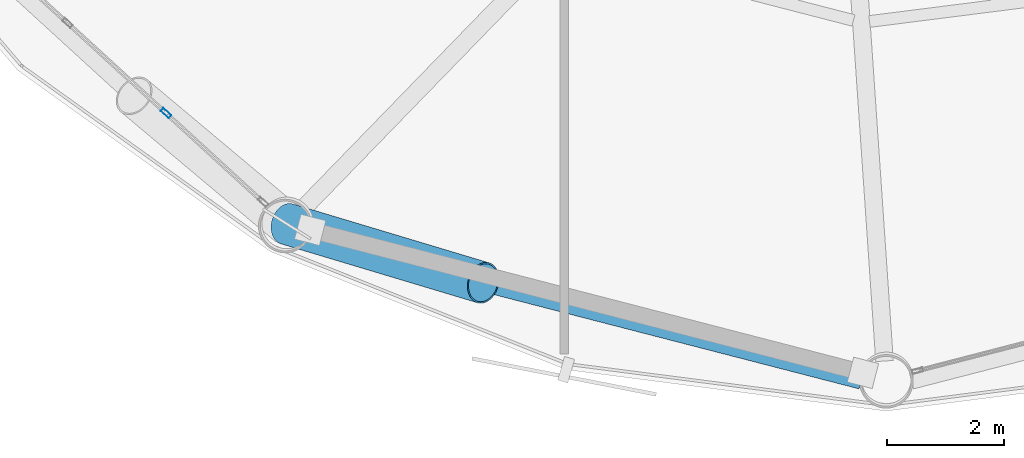
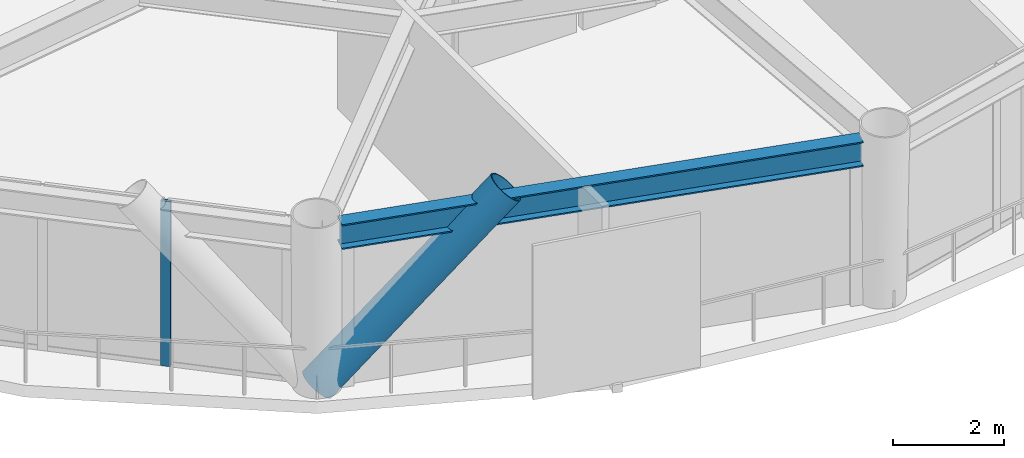
# One storey, part 3 of 25: 2 members, 1 beam, 1 element without a shape of its own.
"""IFC4 building model written with IfcOpenShell, lengths in metres."""

from ifc_helpers import new_model, si_unit, direction, frame, origin, origin_2d, place, context, subcontext, project, spatial, hollow_rectangle, hollow_circle, i_section, extrude, material, layer, layer_set, material_profile, profile_set, type_object, element, aggregate, save


model = new_model("IFC4")

# Units and contexts
model_context = context("Model", 3, precision=1e-05, world=origin(), true_north=direction((0.0, 1.0)))
body_context = subcontext(model_context, "Body", "Model", "MODEL_VIEW")
ifc_project = project(units=[si_unit("LENGTHUNIT", "METRE"), si_unit("AREAUNIT", "SQUARE_METRE"), si_unit("VOLUMEUNIT", "CUBIC_METRE"), si_unit("PLANEANGLEUNIT", "RADIAN"), si_unit("MASSUNIT", "GRAM", prefix="KILO")], contexts=[model_context])

# Site, building, storey
site_placement = place(None, origin())
site = spatial("IfcSite", under=ifc_project, at=site_placement, CompositionType="ELEMENT")
building_placement = place(site_placement, origin())
building = spatial("IfcBuilding", under=site, at=building_placement, Name="Varnakorn Sky Granary", CompositionType="ELEMENT")
storey_placement = place(building_placement, frame((0.0, 0.0, 39.300048828125)))
storey = spatial("IfcBuildingStorey", under=building, at=storey_placement, Name="L09", CompositionType="ELEMENT", Elevation=39.300048828125)

# Beam
ifc_material_1 = material(Name="Steel S355JR", Category="steel")
ifc_material_profile_1 = material_profile(ifc_material_1, i_section(OverallWidth=0.300048828125, OverallDepth=0.550048828125, WebThickness=0.014892578125, FlangeThickness=0.029052734375, at=origin_2d()), Name="HE 550 B")
ifc_profile_set_1 = profile_set([ifc_material_profile_1], Name="Steel S355JR")
beam_type = type_object("IfcBeamType", Name="BM-SPD-Z1", PredefinedType="SPANDREL", material=ifc_profile_set_1)
beam_placement = place(storey_placement, frame((-11.3955078125, -16.464599609375, 3.364990234375), z_axis=(0.968262121446, -0.249936920387, 0.0), x_axis=(0.249936920387, 0.968262121446, 0.0)))
element("IfcBeam", 1, at=beam_placement, inside=storey, type_object=beam_type, Name="Perimeter Spandrel Ring Beam RB09 L09", PredefinedType="SPANDREL", context=body_context, shape_type="SweptSolid", body=[
    extrude(i_section(OverallWidth=0.300048828125, OverallDepth=0.550048828125, WebThickness=0.014892578125, FlangeThickness=0.029052734375, at=origin_2d()), origin(), (0.0, 0.0, 1.0), 9.77783203125),
])

# Curtain wall, member
ifc_material_2 = material(Name="Anodised Bronze Aluminium Alloy 6063-T6", Category="aluminium")
ifc_layer = layer(ifc_material_2, 0.18994140625, Name="Anodised Bronze Aluminium Alloy 6063-T6")
ifc_layer_set = layer_set([ifc_layer], Name="Anodised Bronze Aluminium Alloy 6063-T6")
curtain_wall_type = type_object("IfcCurtainWallType", Name="CW-FRM-1", PredefinedType="USERDEFINED", material=ifc_layer_set)
curtain_wall_placement = place(storey_placement, origin())
curtain_wall = element("IfcCurtainWall", 2, at=curtain_wall_placement, inside=storey, type_object=curtain_wall_type, Name="Unitised Curtain Wall CW3 CW-L09-B08", ObjectType="CURTAIN WALL", PredefinedType="USERDEFINED")
ifc_material_profile_2 = material_profile(ifc_material_2, hollow_rectangle(XDim=0.070068359375, YDim=0.18505859375, WallThickness=0.00390625, at=origin_2d()), Name="ALU MULL 70x185")
ifc_profile_set_2 = profile_set([ifc_material_profile_2], Name="Anodised Bronze Aluminium Alloy 6063-T6")
member_type_1 = type_object("IfcMemberType", Name="CW-FRM-1-MULL", PredefinedType="MULLION", material=ifc_profile_set_2)
member_1_placement = place(storey_placement, frame((-13.79931640625, -14.345947265625, 0.0), z_axis=(0.0, 0.0, 1.0), x_axis=(-0.675388643465, -0.73746198565, 0.0)))
member_1 = element("IfcMember", 3, at=member_1_placement, type_object=member_type_1, Name="CW3 mullion 2", PredefinedType="MULLION", context=body_context, shape_type="SweptSolid", body=[
    extrude(hollow_rectangle(XDim=0.070068359375, YDim=0.18505859375, WallThickness=0.00390625, at=origin_2d()), origin(), (0.0, 0.0, 1.0), 3.639892578125),
])
aggregate(curtain_wall, [member_1])

# Member
ifc_material_3 = material(Name="Steel S460M", Category="steel")
ifc_material_profile_3 = material_profile(ifc_material_3, hollow_circle(Radius=0.35546875, WallThickness=0.02490234375, at=origin_2d()), Name="CHS 711x25")
ifc_profile_set_3 = profile_set([ifc_material_profile_3], Name="Steel S460M")
member_type_2 = type_object("IfcMemberType", Name="MB-DIAG-T0", PredefinedType="BRACE", material=ifc_profile_set_3)
member_2_placement = place(storey_placement, frame((-11.735595703125, -16.236083984375, 0.0), z_axis=(0.649914104041, -0.194997890262, 0.734566185011), x_axis=(0.287379874154, 0.957816688063, 0.0)))
element("IfcMember", 4, at=member_2_placement, inside=storey, type_object=member_type_2, Name="Perimeter CHS Diagrid Brace DG09 L09", PredefinedType="BRACE", context=body_context, shape_type="SweptSolid", body=[
    extrude(hollow_circle(Radius=0.35546875, WallThickness=0.02490234375, at=origin_2d()), origin(), (0.0, 0.0, 1.0), 5.15966796875),
])

save(model, "model.ifc")
